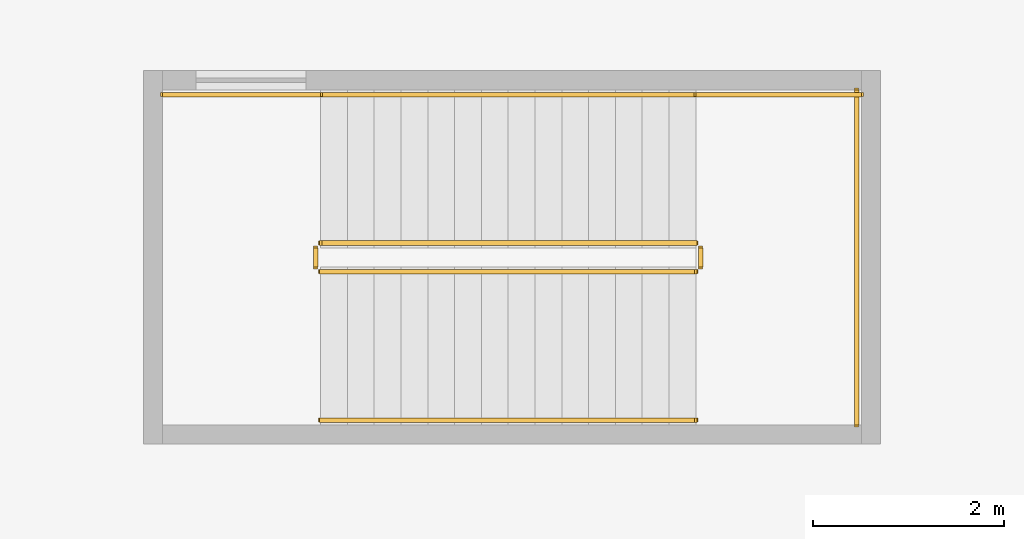
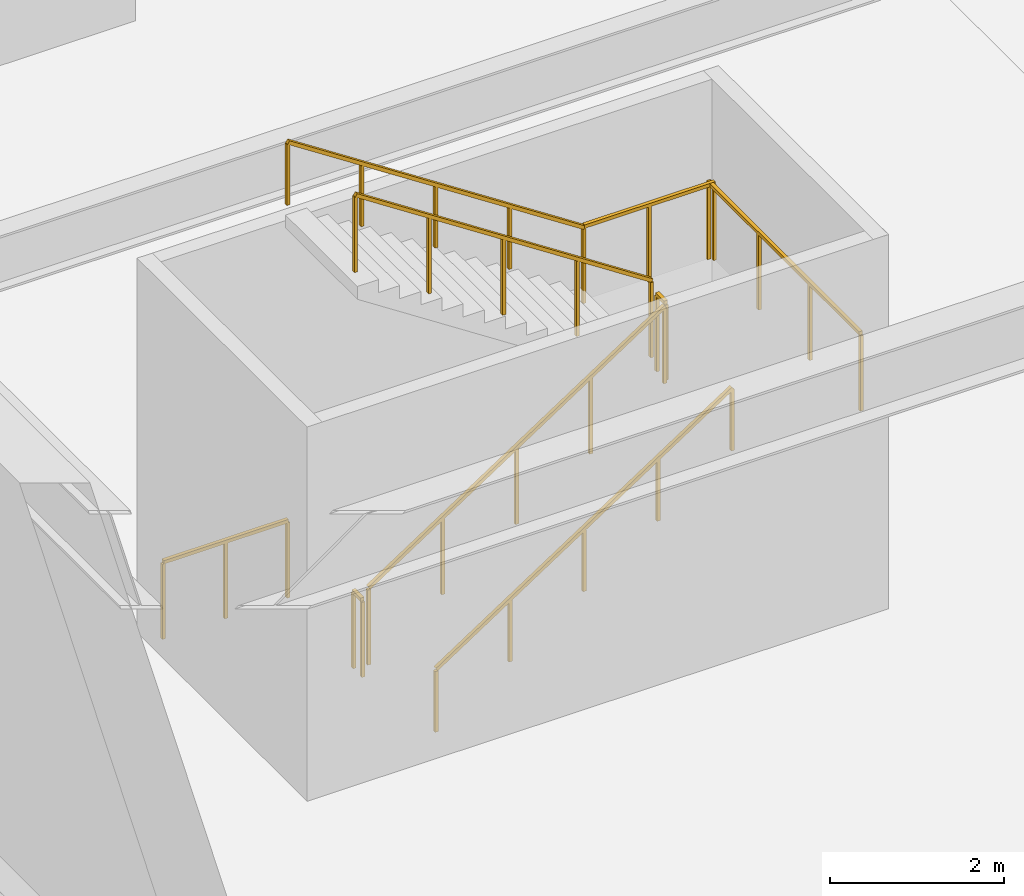
# One storey, part 14 of 19: 9 railings.
"""IFC4 building model written with IfcOpenShell, lengths in metres."""

from ifc_helpers import new_model, si_unit, direction, frame, origin, origin_2d, place, context, subcontext, project, spatial, rectangle, extrude, material, type_object, element, save


model = new_model("IFC4")

# Units and contexts
model_context = context("Model", 3, precision=1e-05, world=origin(), true_north=direction((0.0, 1.0)))
body_context = subcontext(model_context, "Body", "Model", "MODEL_VIEW")
ifc_project = project(units=[si_unit("LENGTHUNIT", "METRE"), si_unit("AREAUNIT", "SQUARE_METRE"), si_unit("VOLUMEUNIT", "CUBIC_METRE"), si_unit("PLANEANGLEUNIT", "RADIAN"), si_unit("MASSUNIT", "GRAM", prefix="KILO")], contexts=[model_context])

# Site, building, storey
site_placement = place(None, origin())
site = spatial("IfcSite", under=ifc_project, at=site_placement, CompositionType="ELEMENT")
building_placement = place(site_placement, origin())
building = spatial("IfcBuilding", under=site, at=building_placement, Name="Tashvorn Skyway Center", CompositionType="ELEMENT")
storey_placement = place(building_placement, frame((0.0, 0.0, -11.0)))
storey = spatial("IfcBuildingStorey", under=building, at=storey_placement, Name="B2", CompositionType="ELEMENT", Elevation=-11.0)

# Railings
ifc_material_1 = material(Name="Brushed stainless steel 316", Category="steel")
railing_type_1 = type_object("IfcRailingType", Name="RAIL-HAND-920", PredefinedType="HANDRAIL", material=ifc_material_1)
railing_1_placement = place(storey_placement, frame((5.449951171875, 9.85009765625, 0.183349609375)))
element("IfcRailing", 1, at=railing_1_placement, inside=storey, type_object=railing_type_1, Name="B2 ST-POD-1 stair handrail 1", PredefinedType="HANDRAIL", context=body_context, shape_type="SweptSolid", body=[
    extrude(rectangle(XDim=0.048095703125, YDim=0.048095703125, at=origin_2d()), frame((0.0, 0.0, 0.8759765625), z_axis=(0.836630751959, 0.0, 0.54776727255), x_axis=(0.0, 1.0, 0.0)), (0.0, 0.0, 1.0), 4.685546875),
    extrude(rectangle(XDim=0.0419921875, YDim=0.0419921875, at=origin_2d()), origin(), (0.0, 0.0, 1.0), 0.851806640625),
    extrude(rectangle(XDim=0.0419921875, YDim=0.0419921875, at=origin_2d()), frame((0.97998046875, 0.0, 0.6416015625)), (0.0, 0.0, 1.0), 0.851806640625),
    extrude(rectangle(XDim=0.0419921875, YDim=0.0419921875, at=origin_2d()), frame((1.9599609375, 0.0, 1.283203125)), (0.0, 0.0, 1.0), 0.851806640625),
    extrude(rectangle(XDim=0.0419921875, YDim=0.0419921875, at=origin_2d()), frame((2.940185546875, 0.0, 1.925048828125)), (0.0, 0.0, 1.0), 0.851806640625),
    extrude(rectangle(XDim=0.0419921875, YDim=0.0419921875, at=origin_2d()), frame((3.920166015625, 0.0, 2.566650390625)), (0.0, 0.0, 1.0), 0.851806640625),
])
railing_2_placement = place(storey_placement, frame((9.3701171875, 13.25, 2.933349609375)))
element("IfcRailing", 2, at=railing_2_placement, inside=storey, type_object=railing_type_1, Name="B2 ST-POD-1 stair handrail 2", PredefinedType="HANDRAIL", context=body_context, shape_type="SweptSolid", body=[
    extrude(rectangle(XDim=0.048095703125, YDim=0.048095703125, at=origin_2d()), frame((0.0, 0.0, 0.8759765625), z_axis=(-0.836630751959, 0.0, 0.54776727255), x_axis=(0.0, -1.0, 0.0)), (0.0, 0.0, 1.0), 4.685546875),
    extrude(rectangle(XDim=0.0419921875, YDim=0.0419921875, at=origin_2d()), origin(), (0.0, 0.0, 1.0), 0.851806640625),
    extrude(rectangle(XDim=0.0419921875, YDim=0.0419921875, at=origin_2d()), frame((-0.97998046875, 0.0, 0.6416015625)), (0.0, 0.0, 1.0), 0.851806640625),
    extrude(rectangle(XDim=0.0419921875, YDim=0.0419921875, at=origin_2d()), frame((-1.9599609375, 0.0, 1.283203125)), (0.0, 0.0, 1.0), 0.851806640625),
    extrude(rectangle(XDim=0.0419921875, YDim=0.0419921875, at=origin_2d()), frame((-2.940185546875, 0.0, 1.925048828125)), (0.0, 0.0, 1.0), 0.851806640625),
    extrude(rectangle(XDim=0.0419921875, YDim=0.0419921875, at=origin_2d()), frame((-3.920166015625, 0.0, 2.566650390625)), (0.0, 0.0, 1.0), 0.851806640625),
])
ifc_material_2 = material(Name="Painted galvanized steel S355", Category="steel")
railing_type_2 = type_object("IfcRailingType", Name="RAIL-STGUARD-1100", PredefinedType="GUARDRAIL", material=ifc_material_2)
railing_3_placement = place(storey_placement, frame((5.449951171875, 11.39990234375, 0.183349609375)))
element("IfcRailing", 3, at=railing_3_placement, inside=storey, type_object=railing_type_2, Name="B2 ST-POD-1 stair guard 1", PredefinedType="GUARDRAIL", context=body_context, shape_type="SweptSolid", body=[
    extrude(rectangle(XDim=0.048095703125, YDim=0.048095703125, at=origin_2d()), frame((0.0, 0.0, 1.076171875), z_axis=(0.836630751959, 0.0, 0.54776727255), x_axis=(0.0, 1.0, 0.0)), (0.0, 0.0, 1.0), 4.685546875),
    extrude(rectangle(XDim=0.0419921875, YDim=0.0419921875, at=origin_2d()), origin(), (0.0, 0.0, 1.0), 1.052001953125),
    extrude(rectangle(XDim=0.0419921875, YDim=0.0419921875, at=origin_2d()), frame((0.97998046875, 0.0, 0.6416015625)), (0.0, 0.0, 1.0), 1.052001953125),
    extrude(rectangle(XDim=0.0419921875, YDim=0.0419921875, at=origin_2d()), frame((1.9599609375, 0.0, 1.283203125)), (0.0, 0.0, 1.0), 1.052001953125),
    extrude(rectangle(XDim=0.0419921875, YDim=0.0419921875, at=origin_2d()), frame((2.940185546875, 0.0, 1.925048828125)), (0.0, 0.0, 1.0), 1.052001953125),
    extrude(rectangle(XDim=0.0419921875, YDim=0.0419921875, at=origin_2d()), frame((3.920166015625, 0.0, 2.566650390625)), (0.0, 0.0, 1.0), 1.052001953125),
])
railing_4_placement = place(storey_placement, frame((9.419921875, 11.449951171875, 2.75)))
element("IfcRailing", 4, at=railing_4_placement, inside=storey, type_object=railing_type_2, Name="B2 ST-POD-1 stair guard 2", PredefinedType="GUARDRAIL", context=body_context, shape_type="SweptSolid", body=[
    extrude(rectangle(XDim=0.048095703125, YDim=0.048095703125, at=origin_2d()), frame((0.0, 0.0, 1.076171875), z_axis=(0.0, 1.0, 0.0), x_axis=(-1.0, 0.0, 0.0)), (0.0, 0.0, 1.0), 0.199951171875),
    extrude(rectangle(XDim=0.0419921875, YDim=0.0419921875, at=origin_2d()), origin(), (0.0, 0.0, 1.0), 1.052001953125),
    extrude(rectangle(XDim=0.0419921875, YDim=0.0419921875, at=origin_2d()), frame((0.0, 0.199951171875, 0.0)), (0.0, 0.0, 1.0), 1.052001953125),
])
railing_5_placement = place(storey_placement, frame((9.3701171875, 13.25, 2.75)))
element("IfcRailing", 5, at=railing_5_placement, inside=storey, type_object=railing_type_2, Name="B2 ST-POD-1 stair guard 3", PredefinedType="GUARDRAIL", context=body_context, shape_type="SweptSolid", body=[
    extrude(rectangle(XDim=0.048095703125, YDim=0.048095703125, at=origin_2d()), frame((0.0, 0.0, 1.076171875), z_axis=(1.0, 0.0, 0.0), x_axis=(0.0, 1.0, 0.0)), (0.0, 0.0, 1.0), 1.72998046875),
    extrude(rectangle(XDim=0.0419921875, YDim=0.0419921875, at=origin_2d()), origin(), (0.0, 0.0, 1.0), 1.052001953125),
    extrude(rectangle(XDim=0.0419921875, YDim=0.0419921875, at=origin_2d()), frame((0.864990234375, 0.0, 0.0)), (0.0, 0.0, 1.0), 1.052001953125),
    extrude(rectangle(XDim=0.0419921875, YDim=0.0419921875, at=origin_2d()), frame((1.72998046875, 0.0, 0.0)), (0.0, 0.0, 1.0), 1.052001953125),
])
railing_6_placement = place(storey_placement, frame((11.050048828125, 9.800048828125, 2.75)))
element("IfcRailing", 6, at=railing_6_placement, inside=storey, type_object=railing_type_2, Name="B2 ST-POD-1 stair guard 4", PredefinedType="GUARDRAIL", context=body_context, shape_type="SweptSolid", body=[
    extrude(rectangle(XDim=0.048095703125, YDim=0.048095703125, at=origin_2d()), frame((0.0, 0.0, 1.076171875), z_axis=(0.0, 1.0, 0.0), x_axis=(-1.0, 0.0, 0.0)), (0.0, 0.0, 1.0), 3.5),
    extrude(rectangle(XDim=0.0419921875, YDim=0.0419921875, at=origin_2d()), origin(), (0.0, 0.0, 1.0), 1.052001953125),
    extrude(rectangle(XDim=0.0419921875, YDim=0.0419921875, at=origin_2d()), frame((0.0, 1.166748046875, 0.0)), (0.0, 0.0, 1.0), 1.052001953125),
    extrude(rectangle(XDim=0.0419921875, YDim=0.0419921875, at=origin_2d()), frame((0.0, 2.333251953125, 0.0)), (0.0, 0.0, 1.0), 1.052001953125),
    extrude(rectangle(XDim=0.0419921875, YDim=0.0419921875, at=origin_2d()), frame((0.0, 3.5, 0.0)), (0.0, 0.0, 1.0), 1.052001953125),
])
railing_7_placement = place(storey_placement, frame((9.3701171875, 11.699951171875, 2.933349609375)))
element("IfcRailing", 7, at=railing_7_placement, inside=storey, type_object=railing_type_2, Name="B2 ST-POD-1 stair guard 5", PredefinedType="GUARDRAIL", context=body_context, shape_type="SweptSolid", body=[
    extrude(rectangle(XDim=0.048095703125, YDim=0.048095703125, at=origin_2d()), frame((0.0, 0.0, 1.076171875), z_axis=(-0.836630751959, 0.0, 0.54776727255), x_axis=(0.0, -1.0, 0.0)), (0.0, 0.0, 1.0), 4.685546875),
    extrude(rectangle(XDim=0.0419921875, YDim=0.0419921875, at=origin_2d()), origin(), (0.0, 0.0, 1.0), 1.052001953125),
    extrude(rectangle(XDim=0.0419921875, YDim=0.0419921875, at=origin_2d()), frame((-0.97998046875, 0.0, 0.6416015625)), (0.0, 0.0, 1.0), 1.052001953125),
    extrude(rectangle(XDim=0.0419921875, YDim=0.0419921875, at=origin_2d()), frame((-1.9599609375, 0.0, 1.283203125)), (0.0, 0.0, 1.0), 1.052001953125),
    extrude(rectangle(XDim=0.0419921875, YDim=0.0419921875, at=origin_2d()), frame((-2.940185546875, 0.0, 1.925048828125)), (0.0, 0.0, 1.0), 1.052001953125),
    extrude(rectangle(XDim=0.0419921875, YDim=0.0419921875, at=origin_2d()), frame((-3.920166015625, 0.0, 2.566650390625)), (0.0, 0.0, 1.0), 1.052001953125),
])
railing_8_placement = place(storey_placement, frame((5.39990234375, 11.449951171875, 0.0)))
element("IfcRailing", 8, at=railing_8_placement, inside=storey, type_object=railing_type_2, Name="B2 ST-POD-1 stair guard 6", PredefinedType="GUARDRAIL", context=body_context, shape_type="SweptSolid", body=[
    extrude(rectangle(XDim=0.048095703125, YDim=0.048095703125, at=origin_2d()), frame((0.0, 0.0, 1.076171875), z_axis=(0.0, 1.0, 0.0), x_axis=(-1.0, 0.0, 0.0)), (0.0, 0.0, 1.0), 0.199951171875),
    extrude(rectangle(XDim=0.0419921875, YDim=0.0419921875, at=origin_2d()), origin(), (0.0, 0.0, 1.0), 1.052001953125),
    extrude(rectangle(XDim=0.0419921875, YDim=0.0419921875, at=origin_2d()), frame((0.0, 0.199951171875, 0.0)), (0.0, 0.0, 1.0), 1.052001953125),
])
railing_9_placement = place(storey_placement, frame((3.800048828125, 13.25, 0.0)))
element("IfcRailing", 9, at=railing_9_placement, inside=storey, type_object=railing_type_2, Name="B2 ST-POD-1 stair guard 7", PredefinedType="GUARDRAIL", context=body_context, shape_type="SweptSolid", body=[
    extrude(rectangle(XDim=0.048095703125, YDim=0.048095703125, at=origin_2d()), frame((0.0, 0.0, 1.076171875), z_axis=(1.0, 0.0, 0.0), x_axis=(0.0, 1.0, 0.0)), (0.0, 0.0, 1.0), 1.64990234375),
    extrude(rectangle(XDim=0.0419921875, YDim=0.0419921875, at=origin_2d()), origin(), (0.0, 0.0, 1.0), 1.052001953125),
    extrude(rectangle(XDim=0.0419921875, YDim=0.0419921875, at=origin_2d()), frame((0.824951171875, 0.0, 0.0)), (0.0, 0.0, 1.0), 1.052001953125),
    extrude(rectangle(XDim=0.0419921875, YDim=0.0419921875, at=origin_2d()), frame((1.64990234375, 0.0, 0.0)), (0.0, 0.0, 1.0), 1.052001953125),
])

save(model, "model.ifc")
